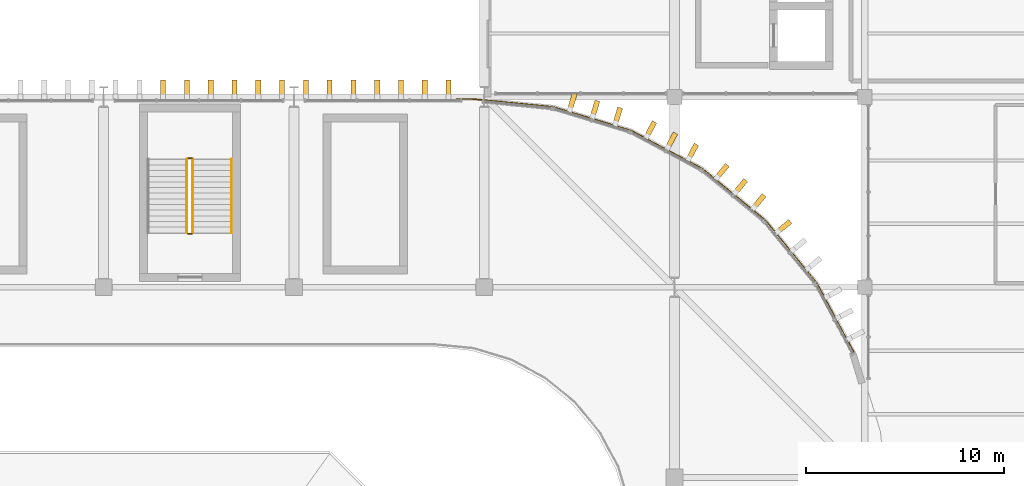
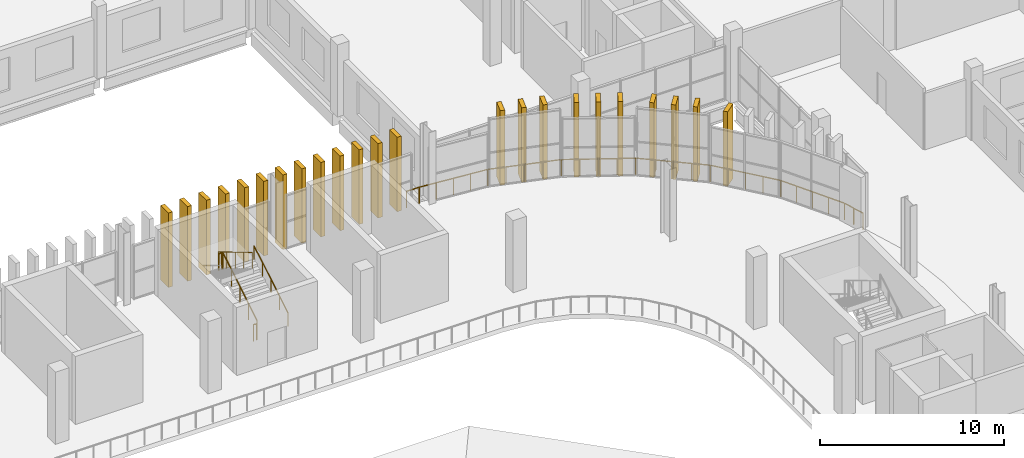
# One storey, part 96 of 99: 23 coverings, 6 railings.
"""IFC4 building model written with IfcOpenShell, lengths in metres."""

from ifc_helpers import new_model, si_unit, direction, frame, origin, origin_2d, place, context, subcontext, project, spatial, rectangle, circle, extrude, material, material_profile, profile_set, type_object, element, save


model = new_model("IFC4")

# Units and contexts
model_context = context("Model", 3, precision=1e-05, world=origin(), true_north=direction((0.0, 1.0)))
body_context = subcontext(model_context, "Body", "Model", "MODEL_VIEW")
ifc_project = project(units=[si_unit("LENGTHUNIT", "METRE"), si_unit("AREAUNIT", "SQUARE_METRE"), si_unit("VOLUMEUNIT", "CUBIC_METRE"), si_unit("PLANEANGLEUNIT", "RADIAN"), si_unit("MASSUNIT", "GRAM", prefix="KILO")], contexts=[model_context])

# Site, building, storey
site_placement = place(None, origin())
site = spatial("IfcSite", under=ifc_project, at=site_placement, CompositionType="ELEMENT")
building_placement = place(site_placement, origin())
building = spatial("IfcBuilding", under=site, at=building_placement, Name="Caelomonte Colonnade Arena", CompositionType="ELEMENT")
storey_placement = place(building_placement, frame((0.0, 0.0, 4.800048828125)))
storey = spatial("IfcBuildingStorey", under=building, at=storey_placement, Name="L01", CompositionType="ELEMENT", Elevation=4.800048828125)

# Coverings
ifc_material_1 = material(Name="Precast travertine cladding", Category="masonry")
ifc_material_profile = material_profile(ifc_material_1, rectangle(XDim=0.260009765625, YDim=0.85009765625, at=origin_2d()), Name="FIN260X850")
ifc_profile_set = profile_set([ifc_material_profile], Name="Precast travertine cladding")
covering_type = type_object("IfcCoveringType", Name="ENV-FN-SHAFT", PredefinedType="CLADDING", material=ifc_profile_set)
for number, where, z_axis, x_axis, name in (
    (1, (159.119140625, 108.65283203125, -0.16015625), (0.0, 0.0, 1.0), (0.634413521313, -0.77299384472, 0.0), "V1 L01 classical travertine vertical fin 80"),
    (2, (157.852783203125, 109.919189453125, -0.16015625), (0.0, 0.0, 1.0), (0.77299384472, -0.634413521313, 0.0), "V1 L01 classical travertine vertical fin 81"),
    (3, (156.92529296875, 110.680419921875, -0.16015625), (0.0, 0.0, 1.0), (0.77299384472, -0.634413521313, 0.0), "V1 L01 classical travertine vertical fin 82"),
    (4, (155.99755859375, 111.44189453125, -0.16015625), (0.0, 0.0, 1.0), (0.77299384472, -0.634413521313, 0.0), "V1 L01 classical travertine vertical fin 83"),
    (5, (154.508544921875, 112.436767578125, -0.16015625), (0.0, 0.0, 1.0), (0.881921264348, -0.471396736826, 0.0), "V1 L01 classical travertine vertical fin 84"),
    (6, (153.4501953125, 113.00244140625, -0.16015625), (0.0, 0.0, 1.0), (0.881921264348, -0.471396736826, 0.0), "V1 L01 classical travertine vertical fin 85"),
    (7, (152.391845703125, 113.568115234375, -0.16015625), (0.0, 0.0, 1.0), (0.881921264348, -0.471396736826, 0.0), "V1 L01 classical travertine vertical fin 86"),
    (8, (150.7373046875, 114.25341796875, -0.16015625), (0.0, 0.0, 1.0), (0.956942868907, -0.290276326364, 0.0), "V1 L01 classical travertine vertical fin 87"),
    (9, (149.5888671875, 114.601806640625, -0.16015625), (0.0, 0.0, 1.0), (0.956942868907, -0.290276326364, 0.0), "V1 L01 classical travertine vertical fin 88"),
    (10, (148.4404296875, 114.9501953125, -0.16015625), (0.0, 0.0, 1.0), (0.956942868907, -0.290276326364, 0.0), "V1 L01 classical travertine vertical fin 89"),
    (11, (142.199951171875, 115.62109375, -0.16015625), (0.0, 0.0, 1.0), (1.0, 0.0, 0.0), "V1 L01 classical travertine vertical fin 93"),
    (12, (141.0, 115.62109375, -0.16015625), (0.0, 0.0, 1.0), (1.0, 0.0, 0.0), "V1 L01 classical travertine vertical fin 94"),
    (13, (139.800048828125, 115.62109375, -0.16015625), (0.0, 0.0, 1.0), (1.0, 0.0, 0.0), "V1 L01 classical travertine vertical fin 95"),
    (14, (138.60009765625, 115.62109375, -0.16015625), (0.0, 0.0, 1.0), (1.0, 0.0, 0.0), "V1 L01 classical travertine vertical fin 96"),
    (15, (137.39990234375, 115.62109375, -0.16015625), (0.0, 0.0, 1.0), (1.0, 0.0, 0.0), "V1 L01 classical travertine vertical fin 97"),
    (16, (136.199951171875, 115.62109375, -0.16015625), (0.0, 0.0, 1.0), (1.0, 0.0, 0.0), "V1 L01 classical travertine vertical fin 98"),
    (17, (135.0, 115.62109375, -0.16015625), (0.0, 0.0, 1.0), (1.0, 0.0, 0.0), "V1 L01 classical travertine vertical fin 99"),
    (18, (133.800048828125, 115.62109375, -0.16015625), (0.0, 0.0, 1.0), (1.0, 0.0, 0.0), "V1 L01 classical travertine vertical fin 100"),
    (19, (132.60009765625, 115.62109375, -0.16015625), (0.0, 0.0, 1.0), (1.0, 0.0, 0.0), "V1 L01 classical travertine vertical fin 101"),
    (20, (131.39990234375, 115.62109375, -0.16015625), (0.0, 0.0, 1.0), (1.0, 0.0, 0.0), "V1 L01 classical travertine vertical fin 102"),
    (21, (130.199951171875, 115.62109375, -0.16015625), (0.0, 0.0, 1.0), (1.0, 0.0, 0.0), "V1 L01 classical travertine vertical fin 103"),
    (22, (129.0, 115.62109375, -0.16015625), (0.0, 0.0, 1.0), (1.0, 0.0, 0.0), "V1 L01 classical travertine vertical fin 104"),
    (23, (127.800048828125, 115.62109375, -0.16015625), (0.0, 0.0, 1.0), (1.0, 0.0, 0.0), "V1 L01 classical travertine vertical fin 105"),
):
    element("IfcCovering", number, at=place(storey_placement, frame(where, z_axis=z_axis, x_axis=x_axis)), inside=storey, type_object=covering_type, Name=name, PredefinedType="CLADDING", context=body_context, shape_type="SweptSolid", body=[
        extrude(rectangle(XDim=0.260009765625, YDim=0.85009765625, at=origin_2d()), origin(), (0.0, 0.0, 1.0), 4.960205078125),
    ])

# Railings
ifc_material_2 = material(Name="Painted galvanized steel handrail and posts", Category="steel")
railing_type_1 = type_object("IfcRailingType", Name="ENV-RL-GRD1", PredefinedType="GUARDRAIL", material=ifc_material_2)
railing_1_placement = place(storey_placement, frame((142.604248046875, 115.10009765625, 0.0)))
element("IfcRailing", 24, at=railing_1_placement, inside=storey, type_object=railing_type_1, Name="L01 NE colonnade loggia perimeter guard 2", PredefinedType="GUARDRAIL", context=body_context, shape_type="SweptSolid", body=[
    extrude(circle(Radius=0.02392578125, at=origin_2d()), frame((0.0, 0.0, 1.076171875), z_axis=(1.0, 0.0, 0.0), x_axis=(0.0, 1.0, 0.0)), (0.0, 0.0, 1.0), 0.759521484375),
    extrude(circle(Radius=0.02392578125, at=origin_2d()), frame((0.82177734375, -0.003173828125, 1.076171875), z_axis=(0.995183999526, -0.098024522889, 0.0), x_axis=(0.098024522889, 0.995183999526, 0.0)), (0.0, 0.0, 1.0), 4.03955078125),
    extrude(circle(Radius=0.02392578125, at=origin_2d()), frame((4.903076171875, -0.4111328125, 1.076171875), z_axis=(0.95694769148, -0.290260427498, 0.0), x_axis=(0.290260427498, 0.95694769148, 0.0)), (0.0, 0.0, 1.0), 4.034423828125),
    extrude(circle(Radius=0.02392578125, at=origin_2d()), frame((8.8212890625, -1.60595703125, 1.076171875), z_axis=(0.88191543793, -0.471407637126, 0.0), x_axis=(0.471407637126, 0.88191543793, 0.0)), (0.0, 0.0, 1.0), 4.03466796875),
    extrude(circle(Radius=0.02392578125, at=origin_2d()), frame((12.43115234375, -3.54248046875, 1.076171875), z_axis=(0.77295272311, -0.634463622154, 0.0), x_axis=(0.634463622154, 0.77295272311, 0.0)), (0.0, 0.0, 1.0), 4.034423828125),
    extrude(circle(Radius=0.02392578125, at=origin_2d()), frame((15.593505859375, -6.146240234375, 1.076171875), z_axis=(0.634463622154, -0.77295272311, 0.0), x_axis=(0.77295272311, 0.634463622154, 0.0)), (0.0, 0.0, 1.0), 4.034423828125),
    extrude(circle(Radius=0.02392578125, at=origin_2d()), frame((18.187744140625, -9.31640625, 1.076171875), z_axis=(0.471407637126, -0.88191543793, 0.0), x_axis=(0.88191543793, 0.471407637126, 0.0)), (0.0, 0.0, 1.0), 4.03466796875),
    extrude(circle(Radius=0.02392578125, at=origin_2d()), frame((20.113525390625, -12.93212890625, 1.076171875), z_axis=(0.290173545222, -0.956974040219, 0.0), x_axis=(0.956974040219, 0.290173545222, 0.0)), (0.0, 0.0, 1.0), 1.355224609375),
    extrude(circle(Radius=0.02099609375, at=origin_2d()), origin(), (0.0, 0.0, 1.0), 1.048095703125),
    extrude(circle(Radius=0.02099609375, at=origin_2d()), frame((0.790771484375, 0.0, 0.0)), (0.0, 0.0, 1.0), 1.048095703125),
    extrude(circle(Radius=0.02099609375, at=origin_2d()), frame((1.811279296875, -0.1005859375, 0.0)), (0.0, 0.0, 1.0), 1.048095703125),
    extrude(circle(Radius=0.02099609375, at=origin_2d()), frame((2.83203125, -0.201171875, 0.0)), (0.0, 0.0, 1.0), 1.048095703125),
    extrude(circle(Radius=0.02099609375, at=origin_2d()), frame((3.8525390625, -0.301513671875, 0.0)), (0.0, 0.0, 1.0), 1.048095703125),
    extrude(circle(Radius=0.02099609375, at=origin_2d()), frame((4.873046875, -0.402099609375, 0.0)), (0.0, 0.0, 1.0), 1.048095703125),
    extrude(circle(Radius=0.02099609375, at=origin_2d()), frame((5.853271484375, -0.699462890625, 0.0)), (0.0, 0.0, 1.0), 1.048095703125),
    extrude(circle(Radius=0.02099609375, at=origin_2d()), frame((6.83349609375, -0.99658203125, 0.0)), (0.0, 0.0, 1.0), 1.048095703125),
    extrude(circle(Radius=0.02099609375, at=origin_2d()), frame((7.8134765625, -1.2939453125, 0.0)), (0.0, 0.0, 1.0), 1.048095703125),
    extrude(circle(Radius=0.02099609375, at=origin_2d()), frame((8.793701171875, -1.59130859375, 0.0)), (0.0, 0.0, 1.0), 1.048095703125),
    extrude(circle(Radius=0.02099609375, at=origin_2d()), frame((9.697021484375, -2.07421875, 0.0)), (0.0, 0.0, 1.0), 1.048095703125),
    extrude(circle(Radius=0.02099609375, at=origin_2d()), frame((10.600341796875, -2.55712890625, 0.0)), (0.0, 0.0, 1.0), 1.048095703125),
    extrude(circle(Radius=0.02099609375, at=origin_2d()), frame((11.503662109375, -3.039794921875, 0.0)), (0.0, 0.0, 1.0), 1.048095703125),
    extrude(circle(Radius=0.02099609375, at=origin_2d()), frame((12.406982421875, -3.522705078125, 0.0)), (0.0, 0.0, 1.0), 1.048095703125),
    extrude(circle(Radius=0.02099609375, at=origin_2d()), frame((13.19873046875, -4.172607421875, 0.0)), (0.0, 0.0, 1.0), 1.048095703125),
    extrude(circle(Radius=0.02099609375, at=origin_2d()), frame((13.990234375, -4.822265625, 0.0)), (0.0, 0.0, 1.0), 1.048095703125),
    extrude(circle(Radius=0.02099609375, at=origin_2d()), frame((14.781982421875, -5.47216796875, 0.0)), (0.0, 0.0, 1.0), 1.048095703125),
    extrude(circle(Radius=0.02099609375, at=origin_2d()), frame((15.57373046875, -6.1220703125, 0.0)), (0.0, 0.0, 1.0), 1.048095703125),
    extrude(circle(Radius=0.02099609375, at=origin_2d()), frame((16.2236328125, -6.913818359375, 0.0)), (0.0, 0.0, 1.0), 1.048095703125),
    extrude(circle(Radius=0.02099609375, at=origin_2d()), frame((16.87353515625, -7.70556640625, 0.0)), (0.0, 0.0, 1.0), 1.048095703125),
    extrude(circle(Radius=0.02099609375, at=origin_2d()), frame((17.523193359375, -8.4970703125, 0.0)), (0.0, 0.0, 1.0), 1.048095703125),
    extrude(circle(Radius=0.02099609375, at=origin_2d()), frame((18.173095703125, -9.288818359375, 0.0)), (0.0, 0.0, 1.0), 1.048095703125),
    extrude(circle(Radius=0.02099609375, at=origin_2d()), frame((18.656005859375, -10.192138671875, 0.0)), (0.0, 0.0, 1.0), 1.048095703125),
    extrude(circle(Radius=0.02099609375, at=origin_2d()), frame((19.138671875, -11.095458984375, 0.0)), (0.0, 0.0, 1.0), 1.048095703125),
    extrude(circle(Radius=0.02099609375, at=origin_2d()), frame((19.62158203125, -11.998779296875, 0.0)), (0.0, 0.0, 1.0), 1.048095703125),
    extrude(circle(Radius=0.02099609375, at=origin_2d()), frame((20.1044921875, -12.902099609375, 0.0)), (0.0, 0.0, 1.0), 1.048095703125),
    extrude(circle(Radius=0.02099609375, at=origin_2d()), frame((20.3056640625, -13.5654296875, 0.0)), (0.0, 0.0, 1.0), 1.048095703125),
    extrude(circle(Radius=0.02099609375, at=origin_2d()), frame((20.5068359375, -14.22900390625, 0.0)), (0.0, 0.0, 1.0), 1.048095703125),
])
ifc_material_3 = material(Name="Painted galvanized steel stair guard", Category="steel")
railing_type_2 = type_object("IfcRailingType", Name="INT-RL-GRD", PredefinedType="GUARDRAIL", material=ifc_material_3)
railing_2_placement = place(storey_placement, frame((129.300048828125, 108.35009765625, 0.17138671875)))
element("IfcRailing", 25, at=railing_2_placement, inside=storey, type_object=railing_type_2, Name="L01 ST-16 stair guard 1", PredefinedType="GUARDRAIL", context=body_context, shape_type="SweptSolid", body=[
    extrude(circle(Radius=0.02392578125, at=origin_2d()), frame((0.0, 0.0, 1.076171875), z_axis=(0.0, 0.856919398105, 0.515450429384), x_axis=(-1.0, 0.0, 0.0)), (0.0, 0.0, 1.0), 4.323486328125),
    extrude(circle(Radius=0.02099609375, at=origin_2d()), origin(), (0.0, 0.0, 1.0), 1.048095703125),
    extrude(circle(Radius=0.02099609375, at=origin_2d()), frame((0.0, 0.92626953125, 0.55712890625)), (0.0, 0.0, 1.0), 1.048095703125),
    extrude(circle(Radius=0.02099609375, at=origin_2d()), frame((0.0, 1.8525390625, 1.1142578125)), (0.0, 0.0, 1.0), 1.048095703125),
    extrude(circle(Radius=0.02099609375, at=origin_2d()), frame((0.0, 2.778564453125, 1.67138671875)), (0.0, 0.0, 1.0), 1.048095703125),
    extrude(circle(Radius=0.02099609375, at=origin_2d()), frame((0.0, 3.704833984375, 2.228515625)), (0.0, 0.0, 1.0), 1.048095703125),
])
railing_3_placement = place(storey_placement, frame((129.25, 112.10498046875, 2.39990234375)))
element("IfcRailing", 26, at=railing_3_placement, inside=storey, type_object=railing_type_2, Name="L01 ST-16 stair guard 2", PredefinedType="GUARDRAIL", context=body_context, shape_type="SweptSolid", body=[
    extrude(circle(Radius=0.02392578125, at=origin_2d()), frame((0.0, 0.0, 1.076171875), z_axis=(-1.0, 0.0, 0.0), x_axis=(0.0, -1.0, 0.0)), (0.0, 0.0, 1.0), 0.199951171875),
    extrude(circle(Radius=0.02099609375, at=origin_2d()), origin(), (0.0, 0.0, 1.0), 1.048095703125),
    extrude(circle(Radius=0.02099609375, at=origin_2d()), frame((-0.199951171875, 0.0, 0.0)), (0.0, 0.0, 1.0), 1.048095703125),
])
railing_4_placement = place(storey_placement, frame((129.0, 112.054931640625, 2.5712890625)))
element("IfcRailing", 27, at=railing_4_placement, inside=storey, type_object=railing_type_2, Name="L01 ST-16 stair guard 3", PredefinedType="GUARDRAIL", context=body_context, shape_type="SweptSolid", body=[
    extrude(circle(Radius=0.02392578125, at=origin_2d()), frame((0.0, 0.0, 1.076171875), z_axis=(0.0, -0.856894455432, 0.515491893485), x_axis=(1.0, 0.0, 0.0)), (0.0, 0.0, 1.0), 4.323486328125),
    extrude(circle(Radius=0.02099609375, at=origin_2d()), origin(), (0.0, 0.0, 1.0), 1.048095703125),
    extrude(circle(Radius=0.02099609375, at=origin_2d()), frame((0.0, -0.92626953125, 0.55712890625)), (0.0, 0.0, 1.0), 1.048095703125),
    extrude(circle(Radius=0.02099609375, at=origin_2d()), frame((0.0, -1.8525390625, 1.1142578125)), (0.0, 0.0, 1.0), 1.048095703125),
    extrude(circle(Radius=0.02099609375, at=origin_2d()), frame((0.0, -2.778564453125, 1.671630859375)), (0.0, 0.0, 1.0), 1.048095703125),
    extrude(circle(Radius=0.02099609375, at=origin_2d()), frame((0.0, -3.704833984375, 2.228759765625)), (0.0, 0.0, 1.0), 1.048095703125),
])
railing_5_placement = place(storey_placement, frame((129.25, 108.300048828125, 0.0)))
element("IfcRailing", 28, at=railing_5_placement, inside=storey, type_object=railing_type_2, Name="L01 ST-16 stair guard 4", PredefinedType="GUARDRAIL", context=body_context, shape_type="SweptSolid", body=[
    extrude(circle(Radius=0.02392578125, at=origin_2d()), frame((0.0, 0.0, 1.076171875), z_axis=(-1.0, 0.0, 0.0), x_axis=(0.0, -1.0, 0.0)), (0.0, 0.0, 1.0), 0.199951171875),
    extrude(circle(Radius=0.02099609375, at=origin_2d()), origin(), (0.0, 0.0, 1.0), 1.048095703125),
    extrude(circle(Radius=0.02099609375, at=origin_2d()), frame((-0.199951171875, 0.0, 0.0)), (0.0, 0.0, 1.0), 1.048095703125),
])
ifc_material_4 = material(Name="Brushed stainless steel stair handrail", Category="steel")
railing_type_3 = type_object("IfcRailingType", Name="INT-RL-HR", PredefinedType="HANDRAIL", material=ifc_material_4)
railing_6_placement = place(storey_placement, frame((131.25, 108.35009765625, 0.17138671875)))
element("IfcRailing", 29, at=railing_6_placement, inside=storey, type_object=railing_type_3, Name="L01 ST-16 stair handrail 1", PredefinedType="HANDRAIL", context=body_context, shape_type="SweptSolid", body=[
    extrude(circle(Radius=0.02392578125, at=origin_2d()), frame((0.0, 0.0, 0.8759765625), z_axis=(0.0, 0.856919398105, 0.515450429384), x_axis=(-1.0, 0.0, 0.0)), (0.0, 0.0, 1.0), 4.323486328125),
    extrude(circle(Radius=0.02099609375, at=origin_2d()), origin(), (0.0, 0.0, 1.0), 0.847900390625),
    extrude(circle(Radius=0.02099609375, at=origin_2d()), frame((0.0, 0.92626953125, 0.55712890625)), (0.0, 0.0, 1.0), 0.847900390625),
    extrude(circle(Radius=0.02099609375, at=origin_2d()), frame((0.0, 1.8525390625, 1.1142578125)), (0.0, 0.0, 1.0), 0.847900390625),
    extrude(circle(Radius=0.02099609375, at=origin_2d()), frame((0.0, 2.778564453125, 1.67138671875)), (0.0, 0.0, 1.0), 0.847900390625),
    extrude(circle(Radius=0.02099609375, at=origin_2d()), frame((0.0, 3.704833984375, 2.228515625)), (0.0, 0.0, 1.0), 0.847900390625),
])

save(model, "model.ifc")
